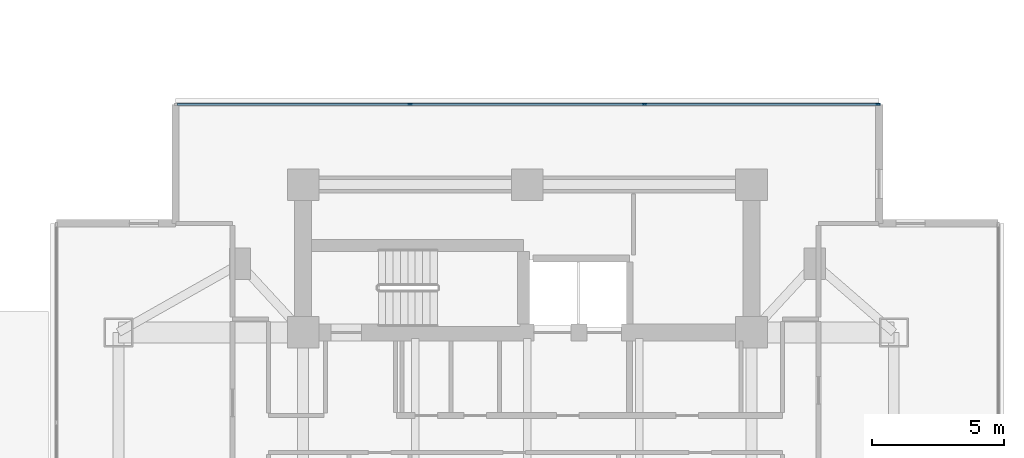
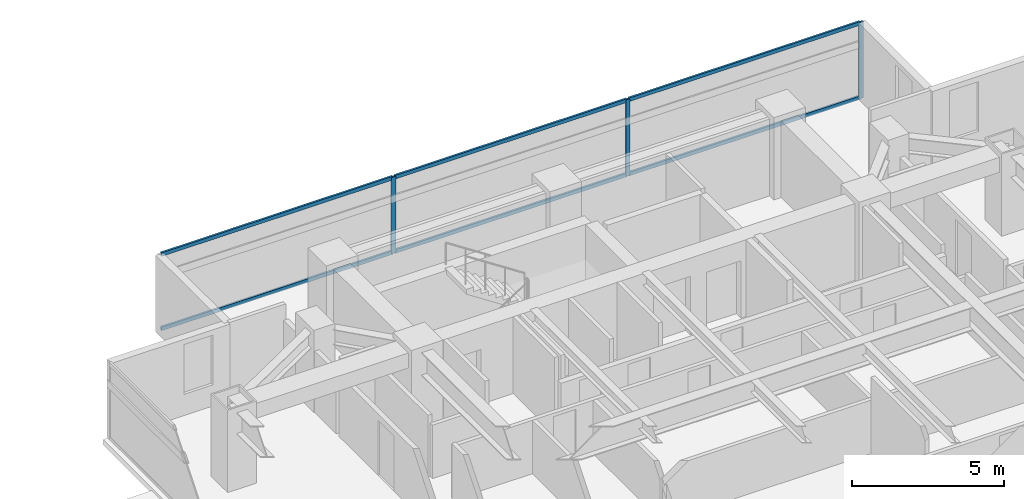
# One storey, part 11 of 26: 9 members, 1 element without a shape of its own.
"""IFC4 building model written with IfcOpenShell, lengths in metres."""

from ifc_helpers import new_model, si_unit, direction, frame, origin, origin_2d, place, context, subcontext, project, spatial, rectangle, extrude, material, material_profile, profile_set, type_object, element, aggregate, save


model = new_model("IFC4")

# Units and contexts
model_context = context("Model", 3, precision=1e-05, world=origin(), true_north=direction((0.0, 1.0)))
body_context = subcontext(model_context, "Body", "Model", "MODEL_VIEW")
ifc_project = project(units=[si_unit("LENGTHUNIT", "METRE"), si_unit("AREAUNIT", "SQUARE_METRE"), si_unit("VOLUMEUNIT", "CUBIC_METRE"), si_unit("PLANEANGLEUNIT", "RADIAN"), si_unit("MASSUNIT", "GRAM", prefix="KILO")], contexts=[model_context])

# Site, building, storey
site_placement = place(None, origin())
site = spatial("IfcSite", under=ifc_project, at=site_placement, CompositionType="ELEMENT")
building_placement = place(site_placement, origin())
building = spatial("IfcBuilding", under=site, at=building_placement, Name="Mirazonda Arch Towers", CompositionType="ELEMENT")
storey_placement = place(building_placement, frame((0.0, 0.0, 98.300048828125)))
storey = spatial("IfcBuildingStorey", under=building, at=storey_placement, Name="L27", CompositionType="ELEMENT", Elevation=98.300048828125)

# Curtain wall, members
ifc_material_1 = material(Name="Anodised Aluminium and Low-E Glass", Category="aluminium")
curtain_wall_type = type_object("IfcCurtainWallType", Name="CW-HTL-UNIT", PredefinedType="NOTDEFINED", material=ifc_material_1)
curtain_wall_placement = place(storey_placement, origin())
curtain_wall = element("IfcCurtainWall", 1, at=curtain_wall_placement, inside=storey, type_object=curtain_wall_type, Name="L27 T2 N Facade CW-L27-T2-N", PredefinedType="NOTDEFINED")
ifc_material_2 = material(Name="Anodised Aluminium Alloy", Category="aluminium")
ifc_material_profile_1 = material_profile(ifc_material_2, rectangle(XDim=0.074951171875, YDim=0.1650390625, at=origin_2d()), Name="ALU-MULL-75x165")
ifc_profile_set_1 = profile_set([ifc_material_profile_1], Name="Anodised Aluminium Alloy")
member_type_1 = type_object("IfcMemberType", Name="MULL-CW-HTL-UNIT", PredefinedType="MULLION", material=ifc_profile_set_1)
member_1_placement = place(storey_placement, frame((72.05322265625, 43.847412109375, 0.0), z_axis=(0.0, 0.0, 1.0), x_axis=(0.0, 1.0, 0.0)))
member_1 = element("IfcMember", 2, at=member_1_placement, type_object=member_type_1, Name="CW-112 mullion 2", PredefinedType="MULLION", context=body_context, shape_type="SweptSolid", body=[
    extrude(rectangle(XDim=0.074951171875, YDim=0.1650390625, at=origin_2d()), origin(), (0.0, 0.0, 1.0), 3.06005859375),
])
member_2_placement = place(storey_placement, frame((80.94677734375, 43.847412109375, 0.0), z_axis=(0.0, 0.0, 1.0), x_axis=(0.0, 1.0, 0.0)))
member_2 = element("IfcMember", 3, at=member_2_placement, type_object=member_type_1, Name="CW-112 mullion 3", PredefinedType="MULLION", context=body_context, shape_type="SweptSolid", body=[
    extrude(rectangle(XDim=0.074951171875, YDim=0.1650390625, at=origin_2d()), origin(), (0.0, 0.0, 1.0), 3.06005859375),
])
member_3_placement = place(storey_placement, frame((89.802734375, 43.847412109375, 0.0), z_axis=(0.0, 0.0, 1.0), x_axis=(0.0, 1.0, 0.0)))
member_3 = element("IfcMember", 4, at=member_3_placement, type_object=member_type_1, Name="CW-112 mullion 4", PredefinedType="MULLION", context=body_context, shape_type="SweptSolid", body=[
    extrude(rectangle(XDim=0.074951171875, YDim=0.1650390625, at=origin_2d()), origin(), (0.0, 0.0, 1.0), 3.06005859375),
])
ifc_material_profile_2 = material_profile(ifc_material_2, rectangle(XDim=0.074951171875, YDim=0.14501953125, at=origin_2d()), Name="ALU-TRAN-75x145")
ifc_profile_set_2 = profile_set([ifc_material_profile_2], Name="Anodised Aluminium Alloy")
member_type_2 = type_object("IfcMemberType", Name="TRAN-CW-HTL-UNIT", PredefinedType="USERDEFINED", material=ifc_profile_set_2)
member_4_placement = place(storey_placement, frame((63.23486328125, 43.847412109375, 0.037353515625), z_axis=(1.0, 0.0, 0.0), x_axis=(0.0, 1.0, 0.0)))
member_4 = element("IfcMember", 5, at=member_4_placement, type_object=member_type_2, Name="CW-112 transom 1.1", ObjectType="TRANSOM", PredefinedType="USERDEFINED", context=body_context, shape_type="SweptSolid", body=[
    extrude(rectangle(XDim=0.074951171875, YDim=0.14501953125, at=origin_2d()), origin(), (0.0, 0.0, 1.0), 8.781005859375),
])
member_5_placement = place(storey_placement, frame((63.23486328125, 43.847412109375, 3.0224609375), z_axis=(1.0, 0.0, 0.0), x_axis=(0.0, 1.0, 0.0)))
member_5 = element("IfcMember", 6, at=member_5_placement, type_object=member_type_2, Name="CW-112 transom 1.2", ObjectType="TRANSOM", PredefinedType="USERDEFINED", context=body_context, shape_type="SweptSolid", body=[
    extrude(rectangle(XDim=0.074951171875, YDim=0.14501953125, at=origin_2d()), origin(), (0.0, 0.0, 1.0), 8.781005859375),
])
member_6_placement = place(storey_placement, frame((72.0908203125, 43.847412109375, 0.037353515625), z_axis=(1.0, 0.0, 0.0), x_axis=(0.0, 1.0, 0.0)))
member_6 = element("IfcMember", 7, at=member_6_placement, type_object=member_type_2, Name="CW-112 transom 2.1", ObjectType="TRANSOM", PredefinedType="USERDEFINED", context=body_context, shape_type="SweptSolid", body=[
    extrude(rectangle(XDim=0.074951171875, YDim=0.14501953125, at=origin_2d()), origin(), (0.0, 0.0, 1.0), 8.818359375),
])
member_7_placement = place(storey_placement, frame((72.0908203125, 43.847412109375, 3.0224609375), z_axis=(1.0, 0.0, 0.0), x_axis=(0.0, 1.0, 0.0)))
member_7 = element("IfcMember", 8, at=member_7_placement, type_object=member_type_2, Name="CW-112 transom 2.2", ObjectType="TRANSOM", PredefinedType="USERDEFINED", context=body_context, shape_type="SweptSolid", body=[
    extrude(rectangle(XDim=0.074951171875, YDim=0.14501953125, at=origin_2d()), origin(), (0.0, 0.0, 1.0), 8.818359375),
])
member_8_placement = place(storey_placement, frame((80.984130859375, 43.847412109375, 0.037353515625), z_axis=(1.0, 0.0, 0.0), x_axis=(0.0, 1.0, 0.0)))
member_8 = element("IfcMember", 9, at=member_8_placement, type_object=member_type_2, Name="CW-112 transom 3.1", ObjectType="TRANSOM", PredefinedType="USERDEFINED", context=body_context, shape_type="SweptSolid", body=[
    extrude(rectangle(XDim=0.074951171875, YDim=0.14501953125, at=origin_2d()), origin(), (0.0, 0.0, 1.0), 8.781005859375),
])
member_9_placement = place(storey_placement, frame((80.984130859375, 43.847412109375, 3.0224609375), z_axis=(1.0, 0.0, 0.0), x_axis=(0.0, 1.0, 0.0)))
member_9 = element("IfcMember", 10, at=member_9_placement, type_object=member_type_2, Name="CW-112 transom 3.2", ObjectType="TRANSOM", PredefinedType="USERDEFINED", context=body_context, shape_type="SweptSolid", body=[
    extrude(rectangle(XDim=0.074951171875, YDim=0.14501953125, at=origin_2d()), origin(), (0.0, 0.0, 1.0), 8.781005859375),
])
aggregate(curtain_wall, [member_1, member_2, member_3, member_4, member_5, member_6, member_7, member_8, member_9])

save(model, "model.ifc")
